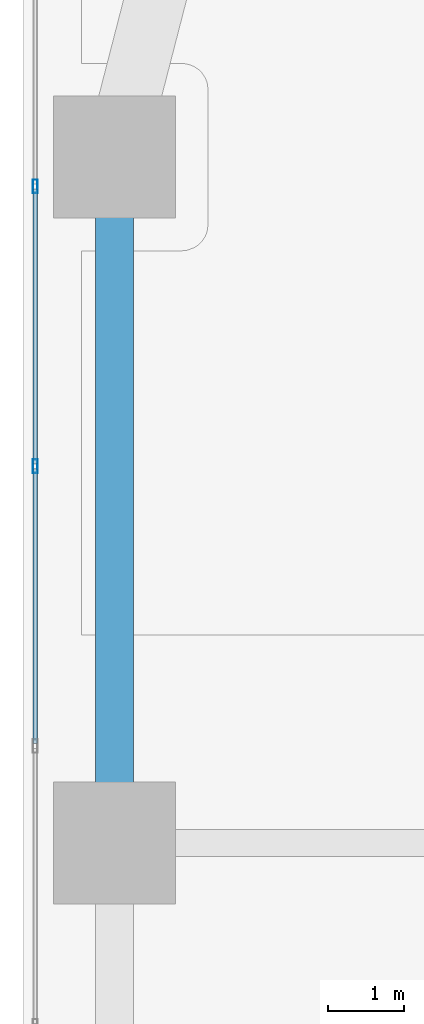
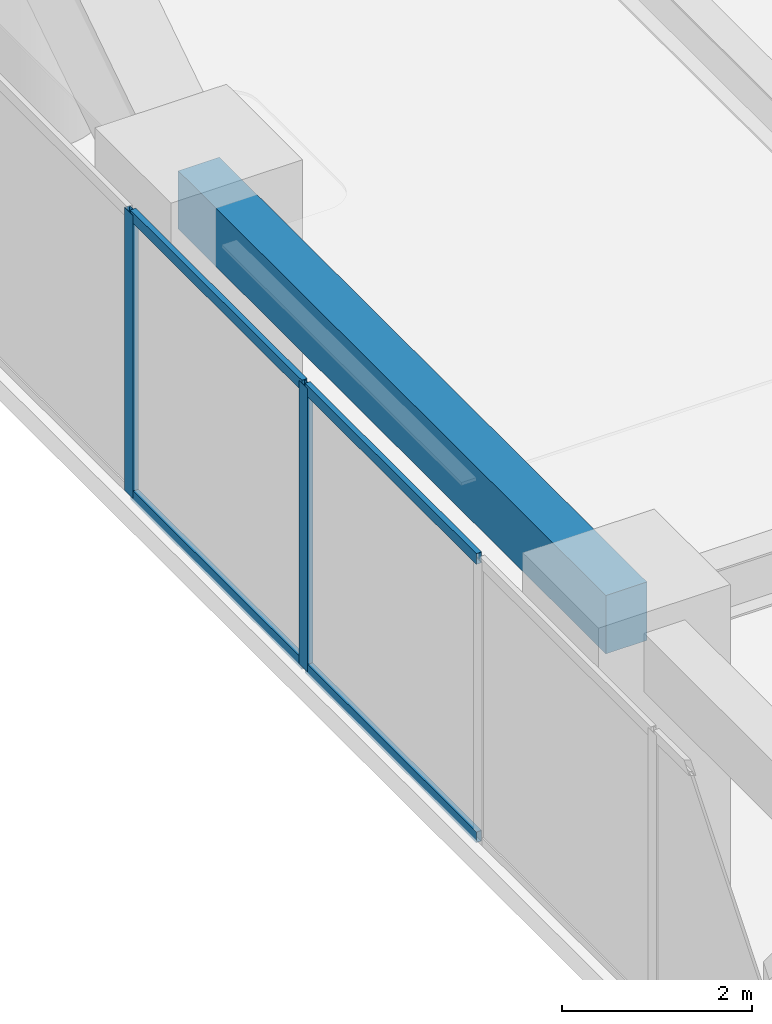
# One storey, part 12 of 28: 6 members, 1 beam, 1 element without a shape of its own.
"""IFC4 building model written with IfcOpenShell, lengths in metres."""

from ifc_helpers import new_model, si_unit, direction, frame, origin, origin_2d, place, context, subcontext, project, spatial, rectangle, hollow_rectangle, extrude, material, layer, layer_set, material_profile, profile_set, type_object, element, aggregate, save


model = new_model("IFC4")

# Units and contexts
model_context = context("Model", 3, precision=1e-05, world=origin(), true_north=direction((0.0, 1.0)))
body_context = subcontext(model_context, "Body", "Model", "MODEL_VIEW")
ifc_project = project(units=[si_unit("LENGTHUNIT", "METRE"), si_unit("AREAUNIT", "SQUARE_METRE"), si_unit("VOLUMEUNIT", "CUBIC_METRE"), si_unit("PLANEANGLEUNIT", "RADIAN"), si_unit("MASSUNIT", "GRAM", prefix="KILO")], contexts=[model_context])

# Site, building, storey
site_placement = place(None, origin())
site = spatial("IfcSite", under=ifc_project, at=site_placement, CompositionType="ELEMENT")
building_placement = place(site_placement, origin())
building = spatial("IfcBuilding", under=site, at=building_placement, Name="Kiyonajd Concourse Tower", CompositionType="ELEMENT")
storey_placement = place(building_placement, frame((0.0, 0.0, 37.199951171875)))
storey = spatial("IfcBuildingStorey", under=building, at=storey_placement, Name="L10", CompositionType="ELEMENT", Elevation=37.199951171875)

# Beam
ifc_material_1 = material(Name="Precast concrete C50/60", Category="concrete")
ifc_material_profile_1 = material_profile(ifc_material_1, rectangle(XDim=0.5, YDim=0.75, at=origin_2d()), Name="RCBM-500x750")
ifc_profile_set_1 = profile_set([ifc_material_profile_1], Name="Precast concrete C50/60")
beam_type = type_object("IfcBeamType", Name="BM-SPAN-RC", PredefinedType="SPANDREL", material=ifc_profile_set_1)
beam_placement = place(storey_placement, frame((19.199951171875, 53.39990234375, 3.26513671875), z_axis=(0.0, -1.0, 0.0), x_axis=(1.0, 0.0, 0.0)))
element("IfcBeam", 1, at=beam_placement, inside=storey, type_object=beam_type, Name="L10 Perimeter Bundled Tube Spandrel", PredefinedType="SPANDREL", context=body_context, shape_type="SweptSolid", body=[
    extrude(rectangle(XDim=0.5, YDim=0.75, at=origin_2d()), origin(), (0.0, 0.0, 1.0), 9.0),
])

# Curtain wall, members
ifc_material_2 = material(Name="Thermally Broken Anodised Aluminium", Category="aluminium")
ifc_layer = layer(ifc_material_2, 0.179931640625)
ifc_layer_set = layer_set([ifc_layer], Name="Thermally Broken Anodised Aluminium")
curtain_wall_type = type_object("IfcCurtainWallType", Name="CW-SYS-02", PredefinedType="NOTDEFINED", material=ifc_layer_set)
curtain_wall_placement = place(storey_placement, origin())
curtain_wall = element("IfcCurtainWall", 2, at=curtain_wall_placement, inside=storey, type_object=curtain_wall_type, Name="L10 Unitised Curtain Wall CW2", PredefinedType="NOTDEFINED")
ifc_material_profile_2 = material_profile(ifc_material_2, hollow_rectangle(XDim=0.06494140625, YDim=0.179931640625, WallThickness=0.00390625, at=origin_2d()), Name="MULL-65x180")
ifc_profile_set_2 = profile_set([ifc_material_profile_2], Name="Thermally Broken Anodised Aluminium")
member_type_1 = type_object("IfcMemberType", Name="MB-CW-MULL1", PredefinedType="MULLION", material=ifc_profile_set_2)
member_1_placement = place(storey_placement, frame((18.159912109375, 49.342529296875, 0.0), z_axis=(0.0, 0.0, 1.0), x_axis=(-1.0, 0.0, 0.0)))
member_1 = element("IfcMember", 3, at=member_1_placement, type_object=member_type_1, Name="CW2 mullion 5", PredefinedType="MULLION", context=body_context, shape_type="SweptSolid", body=[
    extrude(hollow_rectangle(XDim=0.06494140625, YDim=0.179931640625, WallThickness=0.00390625, at=origin_2d()), origin(), (0.0, 0.0, 1.0), 3.64013671875),
])
member_2_placement = place(storey_placement, frame((18.159912109375, 53.015869140625, 0.0), z_axis=(0.0, 0.0, 1.0), x_axis=(-1.0, 0.0, 0.0)))
member_2 = element("IfcMember", 4, at=member_2_placement, type_object=member_type_1, Name="CW2 mullion 6", PredefinedType="MULLION", context=body_context, shape_type="SweptSolid", body=[
    extrude(hollow_rectangle(XDim=0.06494140625, YDim=0.179931640625, WallThickness=0.00390625, at=origin_2d()), origin(), (0.0, 0.0, 1.0), 3.64013671875),
])
ifc_material_profile_3 = material_profile(ifc_material_2, hollow_rectangle(XDim=0.06494140625, YDim=0.139892578125, WallThickness=0.00390625, at=origin_2d()), Name="TRAN-65x140")
ifc_profile_set_3 = profile_set([ifc_material_profile_3], Name="Thermally Broken Anodised Aluminium")
member_type_2 = type_object("IfcMemberType", Name="MB-CW-TRAN1", PredefinedType="USERDEFINED", material=ifc_profile_set_3)
member_3_placement = place(storey_placement, frame((18.159912109375, 45.701904296875, 0.032470703125), z_axis=(0.0, 1.0, 0.0), x_axis=(-1.0, 0.0, 0.0)))
member_3 = element("IfcMember", 5, at=member_3_placement, type_object=member_type_2, Name="CW2 transom 4.1", ObjectType="TRANSOM", PredefinedType="USERDEFINED", context=body_context, shape_type="SweptSolid", body=[
    extrude(hollow_rectangle(XDim=0.06494140625, YDim=0.139892578125, WallThickness=0.00390625, at=origin_2d()), origin(), (0.0, 0.0, 1.0), 3.608154296875),
])
member_4_placement = place(storey_placement, frame((18.159912109375, 45.701904296875, 3.607666015625), z_axis=(0.0, 1.0, 0.0), x_axis=(-1.0, 0.0, 0.0)))
member_4 = element("IfcMember", 6, at=member_4_placement, type_object=member_type_2, Name="CW2 transom 4.2", ObjectType="TRANSOM", PredefinedType="USERDEFINED", context=body_context, shape_type="SweptSolid", body=[
    extrude(hollow_rectangle(XDim=0.06494140625, YDim=0.139892578125, WallThickness=0.00390625, at=origin_2d()), origin(), (0.0, 0.0, 1.0), 3.608154296875),
])
member_5_placement = place(storey_placement, frame((18.159912109375, 49.375, 0.032470703125), z_axis=(0.0, 1.0, 0.0), x_axis=(-1.0, 0.0, 0.0)))
member_5 = element("IfcMember", 7, at=member_5_placement, type_object=member_type_2, Name="CW2 transom 5.1", ObjectType="TRANSOM", PredefinedType="USERDEFINED", context=body_context, shape_type="SweptSolid", body=[
    extrude(hollow_rectangle(XDim=0.06494140625, YDim=0.139892578125, WallThickness=0.00390625, at=origin_2d()), origin(), (0.0, 0.0, 1.0), 3.608154296875),
])
member_6_placement = place(storey_placement, frame((18.159912109375, 49.375, 3.607666015625), z_axis=(0.0, 1.0, 0.0), x_axis=(-1.0, 0.0, 0.0)))
member_6 = element("IfcMember", 8, at=member_6_placement, type_object=member_type_2, Name="CW2 transom 5.2", ObjectType="TRANSOM", PredefinedType="USERDEFINED", context=body_context, shape_type="SweptSolid", body=[
    extrude(hollow_rectangle(XDim=0.06494140625, YDim=0.139892578125, WallThickness=0.00390625, at=origin_2d()), origin(), (0.0, 0.0, 1.0), 3.608154296875),
])
aggregate(curtain_wall, [member_1, member_2, member_3, member_4, member_5, member_6])

save(model, "model.ifc")
